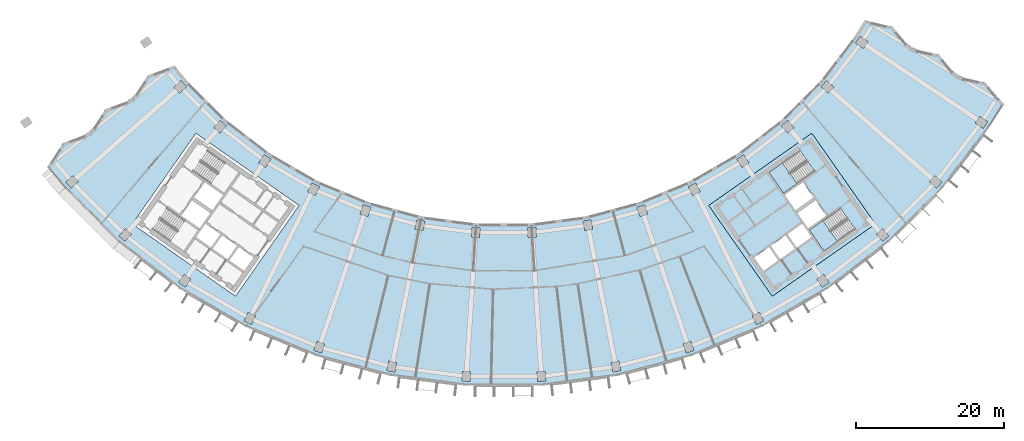
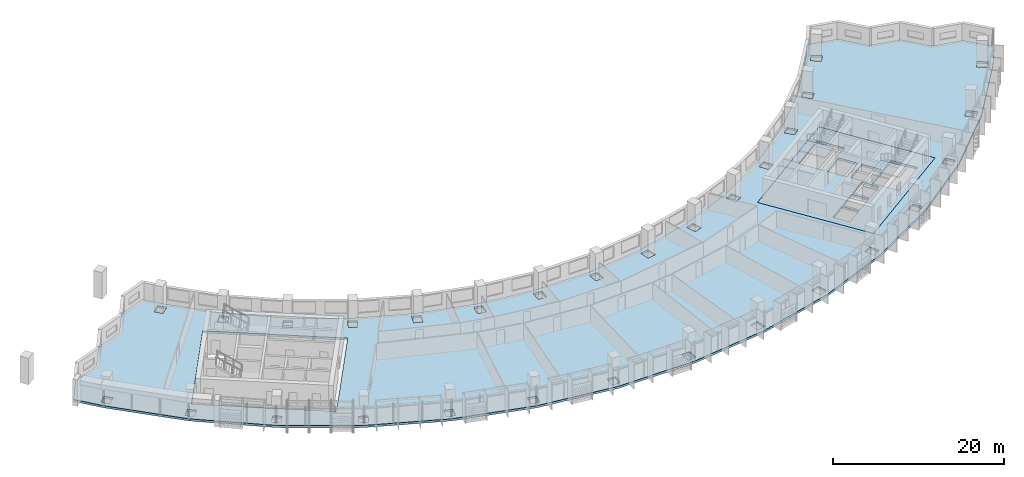
# One storey, part 2 of 27: 4 slabs, 2 elements without a shape of their own.
"""IFC4 building model written with IfcOpenShell, lengths in metres."""

from ifc_helpers import new_model, si_unit, direction, frame, origin, place, context, subcontext, project, spatial, polyline, outline, extrude, material, layer, layer_set, type_object, element, aggregate, save


model = new_model("IFC4")

# Units and contexts
model_context = context("Model", 3, precision=1e-05, world=origin(), true_north=direction((0.0, 1.0)))
body_context = subcontext(model_context, "Body", "Model", "MODEL_VIEW")
ifc_project = project(units=[si_unit("LENGTHUNIT", "METRE"), si_unit("AREAUNIT", "SQUARE_METRE"), si_unit("VOLUMEUNIT", "CUBIC_METRE"), si_unit("PLANEANGLEUNIT", "RADIAN"), si_unit("MASSUNIT", "GRAM", prefix="KILO")], contexts=[model_context])

# Site, building, storey
site_placement = place(None, origin())
site = spatial("IfcSite", under=ifc_project, at=site_placement, CompositionType="ELEMENT")
building_placement = place(site_placement, origin())
building = spatial("IfcBuilding", under=site, at=building_placement, Name="Qamariyya Broadcast Tower", CompositionType="ELEMENT")
storey_placement = place(building_placement, frame((0.0, 0.0, 194.89990234375)))
storey = spatial("IfcBuildingStorey", under=building, at=storey_placement, Name="L46", CompositionType="ELEMENT", Elevation=194.89990234375)

# Slabs
ifc_material_1 = material(Name="Concrete C40/50", Category="concrete")
ifc_layer_1 = layer(ifc_material_1, 0.300048828125)
ifc_layer_set_1 = layer_set([ifc_layer_1], Name="Core floor slab 300 mm Concrete C40/50")
slab_type_1 = type_object("IfcSlabType", Name="Core floor slab 300 mm Concrete C40/50", PredefinedType="FLOOR", material=ifc_layer_set_1)
slab_1_placement = place(storey_placement, frame((0.0, 0.0, -0.2998046875)))
element("IfcSlab", 1, at=slab_1_placement, inside=storey, type_object=slab_type_1, Name="k-E-L46-slab", PredefinedType="FLOOR", context=body_context, shape_type="SweptSolid", body=[
    extrude(outline(polyline([(36.32373046875, -66.734375), (50.286376953125, -56.95751953125), (41.6826171875, -44.67041015625), (27.719970703125, -54.447021484375), (36.32373046875, -66.734375)]), holes=[polyline([(33.87353515625, -61.49169921875), (35.88037109375, -60.08642578125), (37.142333984375, -61.888427734375), (35.13525390625, -63.293701171875), (33.87353515625, -61.49169921875)]), polyline([(36.126220703125, -59.914306640625), (38.133056640625, -58.509033203125), (39.394775390625, -60.311279296875), (37.387939453125, -61.716552734375), (36.126220703125, -59.914306640625)]), polyline([(38.378662109375, -58.3369140625), (40.3857421875, -56.931640625), (41.6474609375, -58.73388671875), (39.640625, -60.13916015625), (38.378662109375, -58.3369140625)]), polyline([(39.742431640625, -55.489990234375), (42.199951171875, -53.769287109375), (43.6337890625, -55.817138671875), (41.17626953125, -57.537841796875), (39.742431640625, -55.489990234375)]), polyline([(39.45556640625, -55.080322265625), (41.9130859375, -53.359619140625), (40.47900390625, -51.311767578125), (38.021728515625, -53.032470703125), (39.45556640625, -55.080322265625)]), polyline([(40.082275390625, -47.01171875), (35.870849609375, -49.960693359375), (37.849609375, -52.78662109375), (42.06103515625, -49.837890625), (40.082275390625, -47.01171875)]), polyline([(45.559814453125, -54.834716796875), (41.348388671875, -57.783447265625), (43.3271484375, -60.609619140625), (47.538818359375, -57.66064453125), (45.559814453125, -54.834716796875)])]), origin(), (0.0, 0.0, 1.0), 0.2998046875),
])
ifc_layer_2 = layer(ifc_material_1, 0.300048828125)
ifc_layer_set_2 = layer_set([ifc_layer_2], Name="Post-tensioned floor slab 300 C40/50")
slab_type_2 = type_object("IfcSlabType", Name="Post-tensioned floor slab 300 C40/50", PredefinedType="FLOOR", material=ifc_layer_set_2)
slab_2_placement = place(storey_placement, frame((0.0, 0.0, -0.2998046875)))
element("IfcSlab", 2, at=slab_2_placement, inside=storey, type_object=slab_type_2, Name="Floor slab S4 L46", PredefinedType="FLOOR", context=body_context, shape_type="SweptSolid", body=[
    extrude(outline(polyline([(-59.669189453125, -45.98583984375), (-61.79736328125, -49.214599609375), (-59.395263671875, -52.08837890625), (-52.08837890625, -59.395263671875), (-43.89013671875, -65.68603515625), (-34.94091796875, -70.85302734375), (-25.393798828125, -74.807373046875), (-15.412109375, -77.48193359375), (-5.166748046875, -78.830810546875), (5.166748046875, -78.830810546875), (15.412109375, -77.48193359375), (25.393798828125, -74.807373046875), (34.94091796875, -70.85302734375), (43.89013671875, -65.68603515625), (52.08837890625, -59.395263671875), (59.395263671875, -52.08837890625), (65.68603515625, -43.89013671875), (67.692626953125, -40.727294921875), (65.1611328125, -37.803955078125), (61.408935546875, -36.94677734375), (58.87646484375, -34.02294921875), (55.125244140625, -33.166259765625), (52.591796875, -30.24169921875), (48.841552734375, -29.385498046875), (47.393798828125, -31.66748046875), (42.85498046875, -37.582763671875), (37.582763671875, -42.85498046875), (31.66748046875, -47.393798828125), (25.21044921875, -51.121826171875), (18.322021484375, -53.97509765625), (11.1201171875, -55.90478515625), (3.72802734375, -56.8779296875), (-3.72802734375, -56.8779296875), (-11.1201171875, -55.90478515625), (-18.322021484375, -53.97509765625), (-25.21044921875, -51.121826171875), (-31.66748046875, -47.393798828125), (-37.582763671875, -42.85498046875), (-42.85498046875, -37.582763671875), (-44.587890625, -35.50927734375), (-48.194580078125, -36.847412109375), (-50.324462890625, -40.07763671875), (-53.931884765625, -41.416748046875), (-56.06103515625, -44.646240234375), (-59.669189453125, -45.98583984375)]), holes=[polyline([(-5.676513671875, -78.1962890625), (-5.59130859375, -76.89892578125), (-4.49365234375, -76.970947265625), (-4.578857421875, -78.26806640625), (-5.676513671875, -78.1962890625)]), polyline([(-15.83447265625, -76.786376953125), (-15.580810546875, -75.51123046875), (-14.501953125, -75.725830078125), (-14.755615234375, -77.0009765625), (-15.83447265625, -76.786376953125)]), polyline([(-25.7216796875, -74.0625), (-25.3037109375, -72.83154296875), (-24.26220703125, -73.18505859375), (-24.679931640625, -74.416015625), (-25.7216796875, -74.0625)]), polyline([(-35.168701171875, -70.071533203125), (-34.59375, -68.905517578125), (-33.607177734375, -69.39208984375), (-34.18212890625, -70.55810546875), (-35.168701171875, -70.071533203125)]), polyline([(-44.013916015625, -64.881591796875), (-43.291748046875, -63.80078125), (-42.377197265625, -64.411865234375), (-43.099365234375, -65.49267578125), (-44.013916015625, -64.881591796875)]), polyline([(-52.106201171875, -58.58154296875), (-51.2490234375, -57.604248046875), (-50.422119140625, -58.32958984375), (-51.279296875, -59.306884765625), (-52.106201171875, -58.58154296875)]), polyline([(-4.401123046875, -58.738037109375), (-4.316162109375, -57.440673828125), (-3.218505859375, -57.5126953125), (-3.303466796875, -58.809814453125), (-4.401123046875, -58.738037109375)]), polyline([(-12.0302734375, -57.660888671875), (-11.776611328125, -56.385986328125), (-10.69775390625, -56.6005859375), (-10.951416015625, -57.87548828125), (-12.0302734375, -57.660888671875)]), polyline([(-50.286376953125, -56.95751953125), (-41.6826171875, -44.67041015625), (-27.719970703125, -54.447021484375), (-36.32373046875, -66.734375), (-50.286376953125, -56.95751953125)]), polyline([(-19.45361328125, -55.597412109375), (-19.03564453125, -54.366455078125), (-17.994140625, -54.719970703125), (-18.411865234375, -55.950927734375), (-19.45361328125, -55.597412109375)]), polyline([(-26.544189453125, -52.58251953125), (-25.968994140625, -51.41650390625), (-24.982666015625, -51.903076171875), (-25.5576171875, -53.069091796875), (-26.544189453125, -52.58251953125)]), polyline([(-59.306884765625, -51.279296875), (-58.32958984375, -50.422119140625), (-57.604248046875, -51.2490234375), (-58.58154296875, -52.106201171875), (-59.306884765625, -51.279296875)]), polyline([(-33.180419921875, -48.66796875), (-32.458251953125, -47.587158203125), (-31.54345703125, -48.1982421875), (-32.265869140625, -49.279052734375), (-33.180419921875, -48.66796875)]), polyline([(-39.2490234375, -43.920654296875), (-38.391845703125, -42.943359375), (-37.564697265625, -43.668701171875), (-38.421875, -44.64599609375), (-39.2490234375, -43.920654296875)]), polyline([(-43.668701171875, -37.564697265625), (-42.943359375, -38.391845703125), (-43.920654296875, -39.2490234375), (-44.64599609375, -38.421875), (-43.668701171875, -37.564697265625)]), polyline([(4.578857421875, -78.26806640625), (4.49365234375, -76.970947265625), (5.59130859375, -76.89892578125), (5.676513671875, -78.1962890625), (4.578857421875, -78.26806640625)]), polyline([(14.755615234375, -77.0009765625), (14.501953125, -75.725830078125), (15.580810546875, -75.51123046875), (15.83447265625, -76.786376953125), (14.755615234375, -77.0009765625)]), polyline([(24.679931640625, -74.416015625), (24.26220703125, -73.18505859375), (25.3037109375, -72.83154296875), (25.7216796875, -74.0625), (24.679931640625, -74.416015625)]), polyline([(34.18212890625, -70.55810546875), (33.607177734375, -69.39208984375), (34.59375, -68.905517578125), (35.168701171875, -70.071533203125), (34.18212890625, -70.55810546875)]), polyline([(43.099365234375, -65.49267578125), (42.377197265625, -64.411865234375), (43.291748046875, -63.80078125), (44.013916015625, -64.881591796875), (43.099365234375, -65.49267578125)]), polyline([(51.279296875, -59.306884765625), (50.422119140625, -58.32958984375), (51.2490234375, -57.604248046875), (52.106201171875, -58.58154296875), (51.279296875, -59.306884765625)]), polyline([(3.303466796875, -58.809814453125), (3.218505859375, -57.5126953125), (4.316162109375, -57.440673828125), (4.401123046875, -58.738037109375), (3.303466796875, -58.809814453125)]), polyline([(10.951416015625, -57.87548828125), (10.69775390625, -56.6005859375), (11.776611328125, -56.385986328125), (12.0302734375, -57.660888671875), (10.951416015625, -57.87548828125)]), polyline([(36.32373046875, -66.734375), (27.719970703125, -54.447021484375), (41.6826171875, -44.67041015625), (50.286376953125, -56.95751953125), (36.32373046875, -66.734375)]), polyline([(18.411865234375, -55.950927734375), (17.994140625, -54.719970703125), (19.03564453125, -54.366455078125), (19.45361328125, -55.597412109375), (18.411865234375, -55.950927734375)]), polyline([(25.5576171875, -53.069091796875), (24.982666015625, -51.903076171875), (25.968994140625, -51.41650390625), (26.544189453125, -52.58251953125), (25.5576171875, -53.069091796875)]), polyline([(58.58154296875, -52.106201171875), (57.604248046875, -51.2490234375), (58.32958984375, -50.422119140625), (59.306884765625, -51.279296875), (58.58154296875, -52.106201171875)]), polyline([(32.265869140625, -49.279052734375), (31.54345703125, -48.1982421875), (32.458251953125, -47.587158203125), (33.180419921875, -48.66796875), (32.265869140625, -49.279052734375)]), polyline([(38.421875, -44.64599609375), (37.564697265625, -43.668701171875), (38.391845703125, -42.943359375), (39.2490234375, -43.920654296875), (38.421875, -44.64599609375)]), polyline([(64.881591796875, -44.013916015625), (63.80078125, -43.291748046875), (64.411865234375, -42.377197265625), (65.49267578125, -43.099365234375), (64.881591796875, -44.013916015625)]), polyline([(42.943359375, -38.391845703125), (43.668701171875, -37.564697265625), (44.64599609375, -38.421875), (43.920654296875, -39.2490234375), (42.943359375, -38.391845703125)]), polyline([(47.587158203125, -32.458251953125), (48.1982421875, -31.54345703125), (49.279052734375, -32.265869140625), (48.66796875, -33.180419921875), (47.587158203125, -32.458251953125)])]), origin(), (0.0, 0.0, 1.0), 0.2998046875),
])

# Stair, slab
ifc_material_2 = material(Name="Concrete C50/60", Category="concrete")
stair_type = type_object("IfcStairType", Name="Exit stair 22 risers of 173 mm", PredefinedType="HALF_TURN_STAIR", material=ifc_material_2)
stair_1_placement = place(storey_placement, origin())
stair_1 = element("IfcStair", 3, at=stair_1_placement, inside=storey, type_object=stair_type, Name="L46 Stair E2", PredefinedType="HALF_TURN_STAIR")
ifc_layer_3 = layer(ifc_material_2, 0.199951171875)
ifc_layer_set_3 = layer_set([ifc_layer_3], Name="Stair landing")
slab_type_3 = type_object("IfcSlabType", Name="Stair landing", PredefinedType="LANDING", material=ifc_layer_set_3)
slab_3_placement = place(storey_placement, frame((0.0, 0.0, 1.7001953125)))
slab_3 = element("IfcSlab", 4, at=slab_3_placement, type_object=slab_type_3, Name="ST-E2 landing 1", PredefinedType="LANDING", context=body_context, shape_type="SweptSolid", body=[
    extrude(outline(polyline([(37.71337890625, -48.67041015625), (35.870849609375, -49.960693359375), (37.849609375, -52.78662109375), (39.692138671875, -51.49658203125), (37.71337890625, -48.67041015625)])), origin(), (0.0, 0.0, 1.0), 0.199951171875),
])
aggregate(stair_1, [slab_3])

stair_2_placement = place(storey_placement, origin())
stair_2 = element("IfcStair", 5, at=stair_2_placement, inside=storey, type_object=stair_type, Name="L46 Stair E1", PredefinedType="HALF_TURN_STAIR")
slab_4_placement = place(storey_placement, frame((0.0, 0.0, 1.7001953125)))
slab_4 = element("IfcSlab", 6, at=slab_4_placement, type_object=slab_type_3, Name="ST-E1 landing 1", PredefinedType="LANDING", context=body_context, shape_type="SweptSolid", body=[
    extrude(outline(polyline([(43.19091796875, -56.493408203125), (41.348388671875, -57.783447265625), (43.3271484375, -60.609619140625), (45.169677734375, -59.319580078125), (43.19091796875, -56.493408203125)])), origin(), (0.0, 0.0, 1.0), 0.199951171875),
])
aggregate(stair_2, [slab_4])

save(model, "model.ifc")
